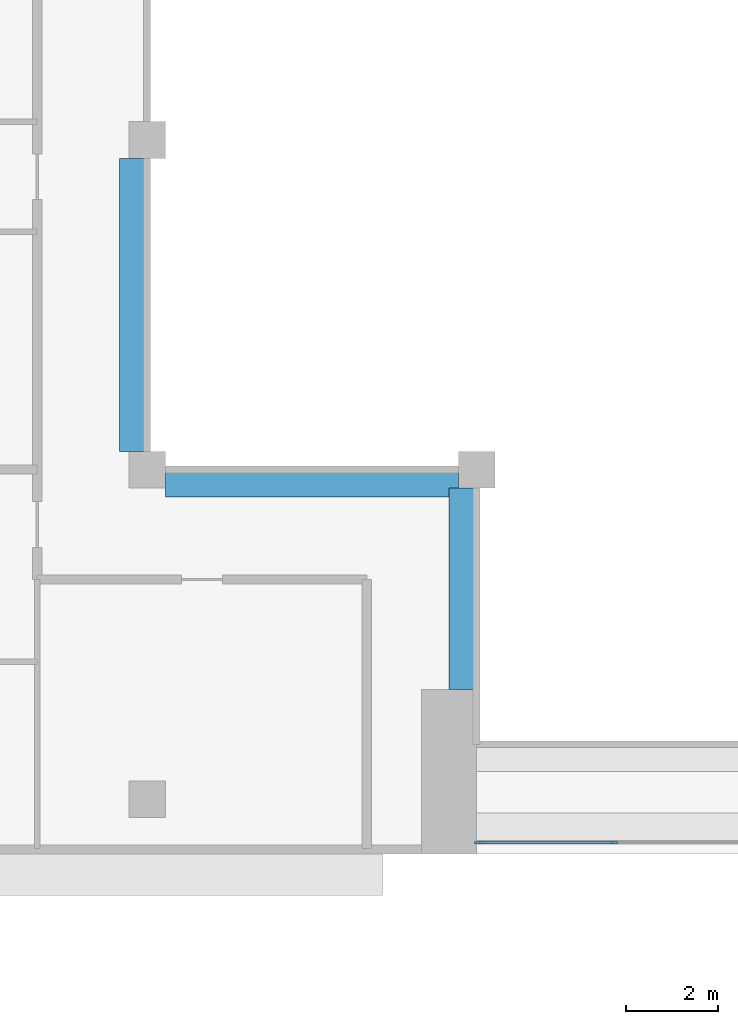
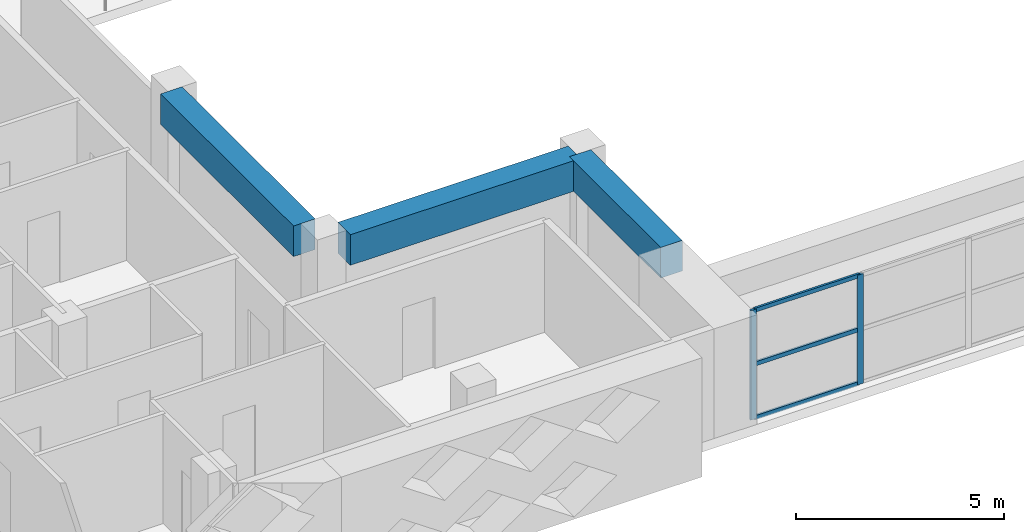
# One storey, part 2 of 19: 5 members, 3 beams, 1 element without a shape of its own.
"""IFC4 building model written with IfcOpenShell, lengths in metres."""

from ifc_helpers import new_model, si_unit, direction, frame, origin, origin_2d, place, context, subcontext, project, spatial, rectangle, extrude, source, transform, mapped, material, layer, layer_set, material_profile, profile_set, type_object, element, aggregate, save


model = new_model("IFC4")

# Units and contexts
model_context = context("Model", 3, precision=1e-05, world=origin(), true_north=direction((0.0, 1.0)))
body_context = subcontext(model_context, "Body", "Model", "MODEL_VIEW")
ifc_project = project(units=[si_unit("LENGTHUNIT", "METRE"), si_unit("AREAUNIT", "SQUARE_METRE"), si_unit("VOLUMEUNIT", "CUBIC_METRE"), si_unit("PLANEANGLEUNIT", "RADIAN"), si_unit("MASSUNIT", "GRAM", prefix="KILO")], contexts=[model_context])

# Site, building, storey
site_placement = place(None, origin())
site = spatial("IfcSite", under=ifc_project, at=site_placement, CompositionType="ELEMENT")
building_placement = place(site_placement, origin())
building = spatial("IfcBuilding", under=site, at=building_placement, Name="Saffron Iwan Residences", CompositionType="ELEMENT")
storey_placement = place(building_placement, frame((0.0, 0.0, 250.0)))
storey = spatial("IfcBuildingStorey", under=building, at=storey_placement, Name="L67", CompositionType="ELEMENT", Elevation=250.0)

# Beams
ifc_material_1 = material(Name="Concrete C40/50", Category="concrete")
ifc_material_profile_1 = material_profile(ifc_material_1, rectangle(XDim=0.60009765625, YDim=0.89990234375, at=origin_2d()), Name="RC 600x900")
ifc_profile_set_1 = profile_set([ifc_material_profile_1], Name="Concrete C40/50")
beam_type = type_object("IfcBeamType", Name="BEAM RC 600x900 C40/50 TOP 3220", PredefinedType="BEAM", material=ifc_profile_set_1)
shared_shape_1 = source(origin(), body_context, "Body", "SweptSolid", [
    extrude(rectangle(XDim=0.60009765625, YDim=0.89990234375, at=origin_2d()), origin(), (0.0, 0.0, 1.0), 4.400146484375),
])
beam_placement = place(storey_placement, frame((42.89990234375, 43.199951171875, 2.77001953125), z_axis=(0.0, 1.0, 0.0), x_axis=(-1.0, 0.0, 0.0)))
element("IfcBeam", 1, at=beam_placement, inside=storey, type_object=beam_type, Name="Atrium edge beam", PredefinedType="BEAM", context=body_context, shape_type="MappedRepresentation", body=[
    mapped(shared_shape_1, transform((0.0, 0.0, 0.0))),
])
shared_shape_2 = source(origin(), body_context, "Body", "SweptSolid", [
    extrude(rectangle(XDim=0.60009765625, YDim=0.89990234375, at=origin_2d()), origin(), (0.0, 0.0, 1.0), 6.400146484375),
])
for number, where, z_axis, x_axis, name in (
    (2, (42.800048828125, 47.699951171875, 2.77001953125), (-1.0, 0.0, 0.0), (0.0, -1.0, 0.0), "Atrium edge beam"),
    (3, (35.699951171875, 48.39990234375, 2.77001953125), (0.0, 1.0, 0.0), (-1.0, 0.0, 0.0), "Atrium edge beam"),
):
    element("IfcBeam", number, at=place(storey_placement, frame(where, z_axis=z_axis, x_axis=x_axis)), inside=storey, type_object=beam_type, Name=name, PredefinedType="BEAM", context=body_context, shape_type="MappedRepresentation", body=[
        mapped(shared_shape_2, transform((0.0, 0.0, 0.0))),
    ])

# Curtain wall, members
ifc_material_2 = material(Name="Clear glass, laminated double glazed", Category="glass")
ifc_layer = layer(ifc_material_2, 0.199951171875)
ifc_layer_set = layer_set([ifc_layer], Name="Clear glass, laminated double glazed")
curtain_wall_type = type_object("IfcCurtainWallType", Name="CW-B IWAN PORTAL", PredefinedType="NOTDEFINED", material=ifc_layer_set)
curtain_wall_placement = place(storey_placement, origin())
curtain_wall = element("IfcCurtainWall", 4, at=curtain_wall_placement, inside=storey, type_object=curtain_wall_type, Name="Iwan portal glazing L67.1", PredefinedType="NOTDEFINED")
ifc_material_3 = material(Name="Aluminium 6063-T6", Category="aluminium")
ifc_material_profile_2 = material_profile(ifc_material_3, rectangle(XDim=0.06005859375, YDim=0.1201171875, at=origin_2d()), Name="CW-B TRANSOM 60 x 120")
ifc_profile_set_2 = profile_set([ifc_material_profile_2], Name="Aluminium 6063-T6")
member_type_1 = type_object("IfcMemberType", Name="CW-B TRANSOM 60 x 120", PredefinedType="USERDEFINED", material=ifc_profile_set_2)
shared_shape_3 = source(origin(), body_context, "Body", "SweptSolid", [
    extrude(rectangle(XDim=0.06005859375, YDim=0.1201171875, at=origin_2d()), origin(), (0.0, 0.0, 1.0), 2.909912109375),
])
member_1_placement = place(storey_placement, frame((43.260009765625, 39.85009765625, 0.030029296875), z_axis=(1.0, 0.0, 0.0), x_axis=(0.0, 1.0, 0.0)))
member_1 = element("IfcMember", 5, at=member_1_placement, type_object=member_type_1, Name="CW-B transom 1.1", ObjectType="TRANSOM", PredefinedType="USERDEFINED", context=body_context, shape_type="MappedRepresentation", body=[
    mapped(shared_shape_3, transform((0.0, 0.0, 0.0))),
])
member_2_placement = place(storey_placement, frame((43.260009765625, 39.85009765625, 1.610107421875), z_axis=(1.0, 0.0, 0.0), x_axis=(0.0, 1.0, 0.0)))
member_2 = element("IfcMember", 6, at=member_2_placement, type_object=member_type_1, Name="CW-B transom 1.2", ObjectType="TRANSOM", PredefinedType="USERDEFINED", context=body_context, shape_type="MappedRepresentation", body=[
    mapped(shared_shape_3, transform((0.0, 0.0, 0.0))),
])
member_3_placement = place(storey_placement, frame((43.260009765625, 39.85009765625, 3.18994140625), z_axis=(1.0, 0.0, 0.0), x_axis=(0.0, 1.0, 0.0)))
member_3 = element("IfcMember", 7, at=member_3_placement, type_object=member_type_1, Name="CW-B transom 1.3", ObjectType="TRANSOM", PredefinedType="USERDEFINED", context=body_context, shape_type="MappedRepresentation", body=[
    mapped(shared_shape_3, transform((0.0, 0.0, 0.0))),
])
ifc_material_profile_3 = material_profile(ifc_material_3, rectangle(XDim=0.06005859375, YDim=0.159912109375, at=origin_2d()), Name="CW-B MULLION 60 x 160")
ifc_profile_set_3 = profile_set([ifc_material_profile_3], Name="Aluminium 6063-T6")
member_type_2 = type_object("IfcMemberType", Name="CW-B MULLION 60 x 160", PredefinedType="MULLION", material=ifc_profile_set_3)
shared_shape_4 = source(origin(), body_context, "Body", "SweptSolid", [
    extrude(rectangle(XDim=0.06005859375, YDim=0.159912109375, at=origin_2d()), origin(), (0.0, 0.0, 1.0), 3.219970703125),
])
member_4_placement = place(storey_placement, frame((43.22998046875, 39.85009765625, 0.0), z_axis=(0.0, 0.0, 1.0), x_axis=(0.0, 1.0, 0.0)))
member_4 = element("IfcMember", 8, at=member_4_placement, type_object=member_type_2, Name="CW-B mullion 1", PredefinedType="MULLION", context=body_context, shape_type="MappedRepresentation", body=[
    mapped(shared_shape_4, transform((0.0, 0.0, 0.0))),
])
member_5_placement = place(storey_placement, frame((46.199951171875, 39.85009765625, 0.0), z_axis=(0.0, 0.0, 1.0), x_axis=(0.0, 1.0, 0.0)))
member_5 = element("IfcMember", 9, at=member_5_placement, type_object=member_type_2, Name="CW-B mullion 2", PredefinedType="MULLION", context=body_context, shape_type="MappedRepresentation", body=[
    mapped(shared_shape_4, transform((0.0, 0.0, 0.0))),
])
aggregate(curtain_wall, [member_4, member_5, member_1, member_2, member_3])

save(model, "model.ifc")
